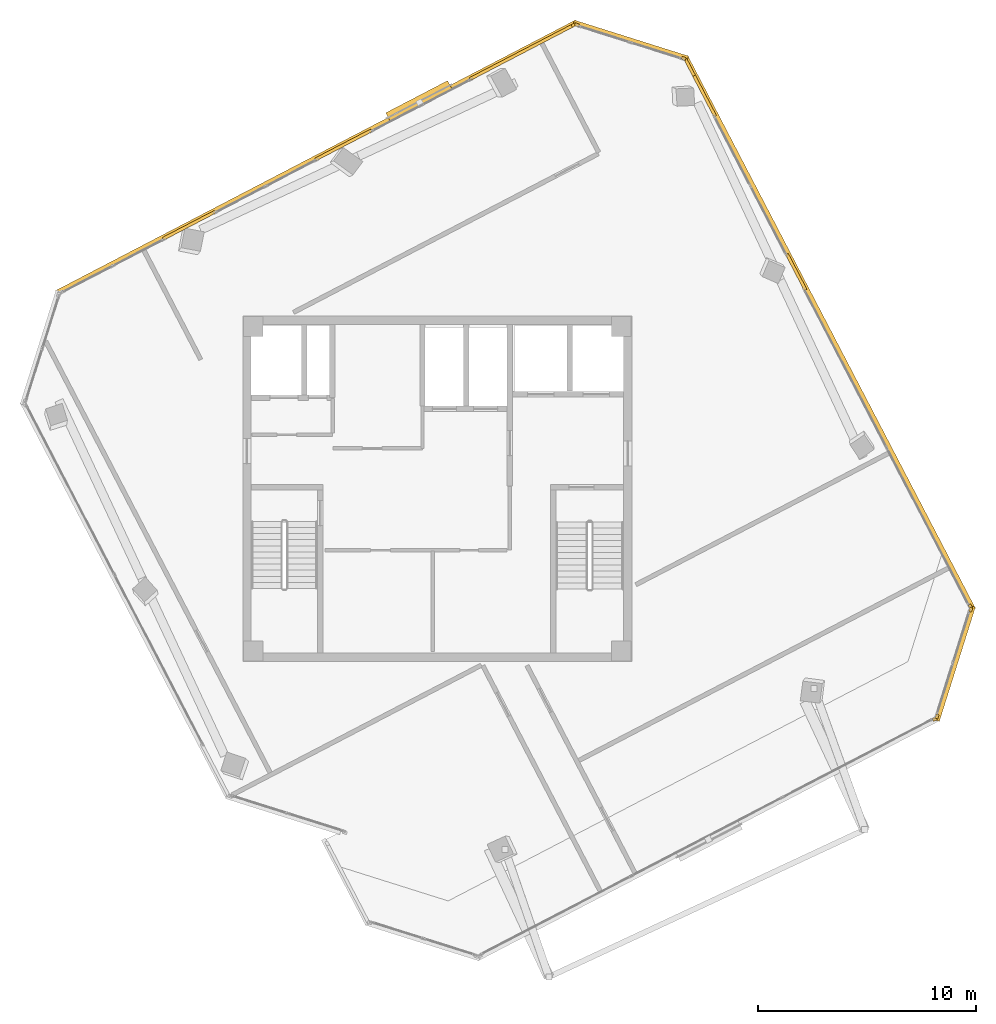
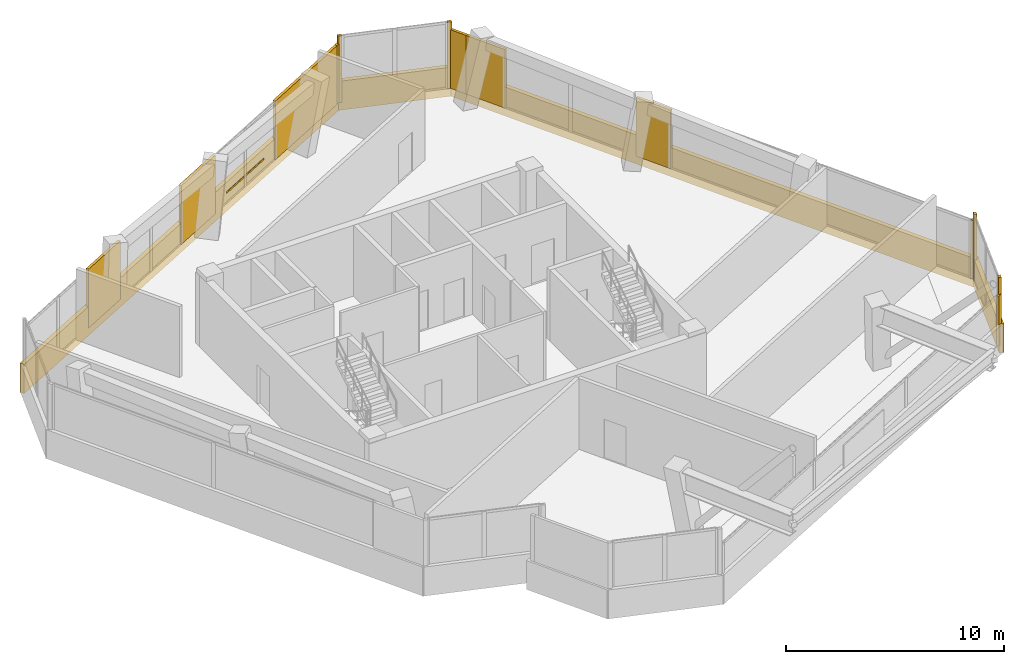
# One storey, part 16 of 16: 17 coverings, 1 shading device.
"""IFC4 building model written with IfcOpenShell, lengths in metres."""

from ifc_helpers import new_model, si_unit, direction, frame, origin, origin_2d, place, context, subcontext, project, spatial, rectangle, extrude, source, transform, mapped, material, layer, layer_set, type_object, element, save


model = new_model("IFC4")

# Units and contexts
model_context = context("Model", 3, precision=1e-05, world=origin(), true_north=direction((0.0, 1.0)))
body_context = subcontext(model_context, "Body", "Model", "MODEL_VIEW")
ifc_project = project(units=[si_unit("LENGTHUNIT", "METRE"), si_unit("AREAUNIT", "SQUARE_METRE"), si_unit("VOLUMEUNIT", "CUBIC_METRE"), si_unit("PLANEANGLEUNIT", "RADIAN"), si_unit("MASSUNIT", "GRAM", prefix="KILO")], contexts=[model_context])

# Site, building, storey
site_placement = place(None, origin())
site = spatial("IfcSite", under=ifc_project, at=site_placement, CompositionType="ELEMENT")
building_placement = place(site_placement, origin())
building = spatial("IfcBuilding", under=site, at=building_placement, Name="Torre Montelarca", CompositionType="ELEMENT")
storey_placement = place(building_placement, frame((0.0, 0.0, 336.60009765625)))
storey = spatial("IfcBuildingStorey", under=building, at=storey_placement, Name="L76", CompositionType="ELEMENT", Elevation=336.60009765625)

# Shading device
ifc_material_1 = material(Name="Anodised champagne bronze aluminium AA 6063-T6", Category="aluminium")
ifc_layer_1 = layer(ifc_material_1, 0.070068359375, Name="Anodised champagne bronze aluminium AA 6063-T6", Category="aluminium")
ifc_layer_set_1 = layer_set([ifc_layer_1], Name="Anodised champagne bronze aluminium AA 6063-T6")
shading_device_type = type_object("IfcShadingDeviceType", Name="SHD-SUNSHADE-1", PredefinedType="USERDEFINED", material=ifc_layer_set_1)
shared_shape_1 = source(origin(), body_context, "Body", "SweptSolid", [
    extrude(rectangle(XDim=3.199951171875, YDim=0.47998046875, at=origin_2d()), origin(), (0.0, 0.0, 1.0), 0.10009765625),
])
shading_device_placement = place(storey_placement, frame((17.1640625, 49.78759765625, 0.56982421875), z_axis=(0.0, 0.0, 1.0), x_axis=(-0.887010027274, -0.46175016136, 0.0)))
element("IfcShadingDevice", 1, at=shading_device_placement, inside=storey, type_object=shading_device_type, Name="L76 Facade Solar Shading Device E10", ObjectType="SUNSHADE", PredefinedType="USERDEFINED", context=body_context, shape_type="MappedRepresentation", body=[
    mapped(shared_shape_1, transform((0.0, 0.0, 0.0), scale=1.0)),
])

# Coverings
ifc_material_2 = material(Name="Bush-hammered warm white precast concrete C45/55", Category="concrete")
ifc_layer_2 = layer(ifc_material_2, 0.139892578125, Name="Bush-hammered warm white precast concrete C45/55", Category="concrete")
ifc_layer_set_2 = layer_set([ifc_layer_2], Name="Bush-hammered warm white precast concrete C45/55")
covering_type = type_object("IfcCoveringType", Name="COV-TRAY-CLAD", PredefinedType="CLADDING", material=ifc_layer_set_2)
shared_shape_2 = source(origin(), body_context, "Body", "SweptSolid", [
    extrude(rectangle(XDim=0.199951171875, YDim=0.139892578125, at=origin_2d()), origin(), (0.0, 0.0, 1.0), 3.719970703125),
])
for number, where, z_axis, x_axis, name in (
    (2, (40.944091796875, 21.542236328125, 0.0), (0.0, 0.0, 1.0), (0.30070080585, 0.953718525227, 0.0), "L76 Architectural Column Pier Cladding E07-1"),
    (3, (42.490478515625, 26.446533203125, 0.0), (0.0, 0.0, 1.0), (0.30070080585, 0.953718525227, 0.0), "L76 Architectural Column Pier Cladding E07-2"),
    (4, (29.313720703125, 51.7587890625, 0.0), (0.0, 0.0, 1.0), (-0.953718525227, 0.30070080585, 0.0), "L76 Architectural Column Pier Cladding E09-1"),
    (5, (24.409423828125, 53.30517578125, 0.0), (0.0, 0.0, 1.0), (-0.953718525227, 0.30070080585, 0.0), "L76 Architectural Column Pier Cladding E09-2"),
):
    element("IfcCovering", number, at=place(storey_placement, frame(where, z_axis=z_axis, x_axis=x_axis)), inside=storey, type_object=covering_type, Name=name, PredefinedType="CLADDING", context=body_context, shape_type="MappedRepresentation", body=[
        mapped(shared_shape_2, transform((0.0, 0.0, 0.0), scale=1.0)),
    ])
shared_shape_3 = source(origin(), body_context, "Body", "SweptSolid", [
    extrude(rectangle(XDim=0.199951171875, YDim=0.139892578125, at=origin_2d()), origin(), (0.0, 0.0, 1.0), 2.77490234375),
])
covering_1_placement = place(storey_placement, frame((40.850830078125, 21.430908203125, 0.0), z_axis=(0.0, 0.0, 1.0), x_axis=(0.88701163908, 0.461747065108, 0.0)))
element("IfcCovering", 6, at=covering_1_placement, inside=storey, type_object=covering_type, Name="L76 Architectural Column Pier Cladding E06-2", PredefinedType="CLADDING", context=body_context, shape_type="MappedRepresentation", body=[
    mapped(shared_shape_3, transform((0.0, 0.0, 0.0), scale=1.0)),
])
shared_shape_4 = source(origin(), body_context, "Body", "SweptSolid", [
    extrude(rectangle(XDim=5.493896484375, YDim=0.219970703125, at=origin_2d()), origin(), (0.0, 0.0, 1.0), 1.6201171875),
])
for number, where, z_axis, x_axis, name in (
    (7, (41.7744140625, 23.976318359375, -0.4501953125), (0.0, 0.0, 1.0), (0.300705799504, 0.953716950748, 0.0), "L76 Architectural White Spandrel Tray Band TRYBOT-07"),
    (8, (26.879638671875, 52.589111328125, -0.4501953125), (0.0, 0.0, 1.0), (-0.953716950748, 0.300705799504, 0.0), "L76 Architectural White Spandrel Tray Band TRYBOT-09"),
):
    element("IfcCovering", number, at=place(storey_placement, frame(where, z_axis=z_axis, x_axis=x_axis)), inside=storey, type_object=covering_type, Name=name, PredefinedType="CLADDING", context=body_context, shape_type="MappedRepresentation", body=[
        mapped(shared_shape_4, transform((0.0, 0.0, 0.0), scale=1.0)),
    ])
shared_shape_5 = source(origin(), body_context, "Body", "SweptSolid", [
    extrude(rectangle(XDim=28.6201171875, YDim=0.219970703125, at=origin_2d()), origin(), (0.0, 0.0, 1.0), 1.6201171875),
])
covering_2_placement = place(storey_placement, frame((36.004638671875, 39.156005859375, -0.4501953125), z_axis=(0.0, 0.0, 1.0), x_axis=(-0.461747065108, 0.88701163908, 0.0)))
element("IfcCovering", 9, at=covering_2_placement, inside=storey, type_object=covering_type, Name="L76 Architectural White Spandrel Tray Band TRYBOT-08", PredefinedType="CLADDING", context=body_context, shape_type="MappedRepresentation", body=[
    mapped(shared_shape_5, transform((0.0, 0.0, 0.0), scale=1.0)),
])
shared_shape_6 = source(origin(), body_context, "Body", "SweptSolid", [
    extrude(rectangle(XDim=0.199951171875, YDim=0.139892578125, at=origin_2d()), origin(), (0.0, 0.0, 1.0), 3.27490234375),
])
for number, where, z_axis, x_axis, name in (
    (10, (42.477783203125, 26.591064453125, 0.0), (0.0, 0.0, 1.0), (-0.461747065108, 0.88701163908, 0.0), "L76 Architectural Column Pier Cladding E08-1"),
    (11, (24.264892578125, 53.29248046875, 0.0), (0.0, 0.0, 1.0), (-0.887010833178, -0.461748613235, 0.0), "L76 Architectural Column Pier Cladding E10-1"),
):
    element("IfcCovering", number, at=place(storey_placement, frame(where, z_axis=z_axis, x_axis=x_axis)), inside=storey, type_object=covering_type, Name=name, PredefinedType="CLADDING", context=body_context, shape_type="MappedRepresentation", body=[
        mapped(shared_shape_6, transform((0.0, 0.0, 0.0), scale=1.0)),
    ])
shared_shape_7 = source(origin(), body_context, "Body", "SweptSolid", [
    extrude(rectangle(XDim=26.919921875, YDim=0.219970703125, at=origin_2d()), origin(), (0.0, 0.0, 1.0), 1.6201171875),
])
covering_3_placement = place(storey_placement, frame((12.453857421875, 47.211669921875, -0.4501953125), z_axis=(0.0, 0.0, 1.0), x_axis=(-0.887010027274, -0.46175016136, 0.0)))
element("IfcCovering", 12, at=covering_3_placement, inside=storey, type_object=covering_type, Name="L76 Architectural White Spandrel Tray Band TRYBOT-10", PredefinedType="CLADDING", context=body_context, shape_type="MappedRepresentation", body=[
    mapped(shared_shape_7, transform((0.0, 0.0, 0.0), scale=1.0)),
])
shared_shape_8 = source(origin(), body_context, "Body", "SweptSolid", [
    extrude(rectangle(XDim=1.860107421875, YDim=0.139892578125, at=origin_2d()), origin(), (0.0, 0.0, 1.0), 3.27490234375),
])
covering_4_placement = place(storey_placement, frame((34.480224609375, 41.9541015625, 0.0), z_axis=(0.0, 0.0, 1.0), x_axis=(-0.461747065108, 0.88701163908, 0.0)))
element("IfcCovering", 13, at=covering_4_placement, inside=storey, type_object=covering_type, Name="L76 Architectural Column Pier Cladding E08-2", PredefinedType="CLADDING", context=body_context, shape_type="MappedRepresentation", body=[
    mapped(shared_shape_8, transform((0.0, 0.0, 0.0), scale=1.0)),
])
shared_shape_9 = source(origin(), body_context, "Body", "SweptSolid", [
    extrude(rectangle(XDim=2.1962890625, YDim=0.139892578125, at=origin_2d()), origin(), (0.0, 0.0, 1.0), 3.27490234375),
])
covering_5_placement = place(storey_placement, frame((30.2509765625, 50.078857421875, 0.0), z_axis=(0.0, 0.0, 1.0), x_axis=(-0.461747065108, 0.88701163908, 0.0)))
element("IfcCovering", 14, at=covering_5_placement, inside=storey, type_object=covering_type, Name="L76 Architectural Column Pier Cladding E08-3", PredefinedType="CLADDING", context=body_context, shape_type="MappedRepresentation", body=[
    mapped(shared_shape_9, transform((0.0, 0.0, 0.0), scale=1.0)),
])
shared_shape_10 = source(origin(), body_context, "Body", "SweptSolid", [
    extrude(rectangle(XDim=0.890625, YDim=0.139892578125, at=origin_2d()), origin(), (0.0, 0.0, 1.0), 3.27490234375),
])
covering_6_placement = place(storey_placement, frame((29.58447265625, 51.359130859375, 0.0), z_axis=(0.0, 0.0, 1.0), x_axis=(-0.461747065108, 0.88701163908, 0.0)))
element("IfcCovering", 15, at=covering_6_placement, inside=storey, type_object=covering_type, Name="L76 Architectural Column Pier Cladding E08-4", PredefinedType="CLADDING", context=body_context, shape_type="MappedRepresentation", body=[
    mapped(shared_shape_10, transform((0.0, 0.0, 0.0), scale=1.0)),
])
shared_shape_11 = source(origin(), body_context, "Body", "SweptSolid", [
    extrude(rectangle(XDim=5.3642578125, YDim=0.139892578125, at=origin_2d()), origin(), (0.0, 0.0, 1.0), 3.27490234375),
])
covering_7_placement = place(storey_placement, frame((21.8857421875, 52.053955078125, 0.0), z_axis=(0.0, 0.0, 1.0), x_axis=(-0.887010833178, -0.461748613235, 0.0)))
element("IfcCovering", 16, at=covering_7_placement, inside=storey, type_object=covering_type, Name="L76 Architectural Column Pier Cladding E10-2", PredefinedType="CLADDING", context=body_context, shape_type="MappedRepresentation", body=[
    mapped(shared_shape_11, transform((0.0, 0.0, 0.0), scale=1.0)),
])
shared_shape_12 = source(origin(), body_context, "Body", "SweptSolid", [
    extrude(rectangle(XDim=2.89501953125, YDim=0.139892578125, at=origin_2d()), origin(), (0.0, 0.0, 1.0), 3.27490234375),
])
covering_8_placement = place(storey_placement, frame((13.694580078125, 47.789794921875, 0.0), z_axis=(0.0, 0.0, 1.0), x_axis=(-0.887010833178, -0.461748613235, 0.0)))
element("IfcCovering", 17, at=covering_8_placement, inside=storey, type_object=covering_type, Name="L76 Architectural Column Pier Cladding E10-3", PredefinedType="CLADDING", context=body_context, shape_type="MappedRepresentation", body=[
    mapped(shared_shape_12, transform((0.0, 0.0, 0.0), scale=1.0)),
])
shared_shape_13 = source(origin(), body_context, "Body", "SweptSolid", [
    extrude(rectangle(XDim=2.70263671875, YDim=0.139892578125, at=origin_2d()), origin(), (0.0, 0.0, 1.0), 3.27490234375),
])
covering_9_placement = place(storey_placement, frame((6.601806640625, 44.09765625, 0.0), z_axis=(0.0, 0.0, 1.0), x_axis=(-0.887010833178, -0.461748613235, 0.0)))
element("IfcCovering", 18, at=covering_9_placement, inside=storey, type_object=covering_type, Name="L76 Architectural Column Pier Cladding E10-4", PredefinedType="CLADDING", context=body_context, shape_type="MappedRepresentation", body=[
    mapped(shared_shape_13, transform((0.0, 0.0, 0.0), scale=1.0)),
])

save(model, "model.ifc")
